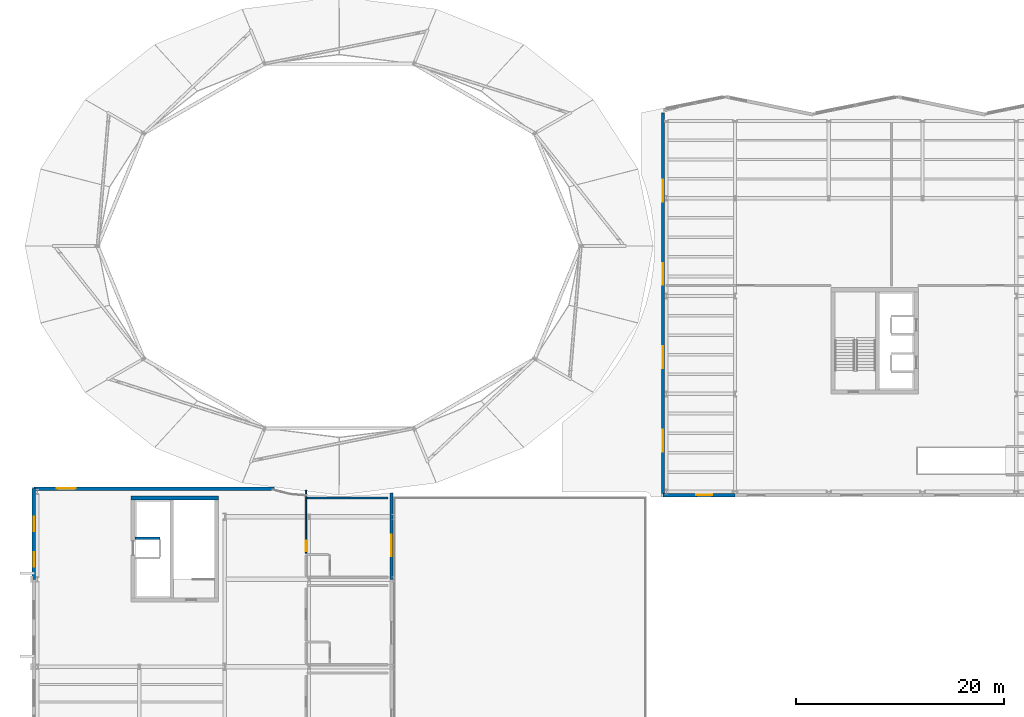
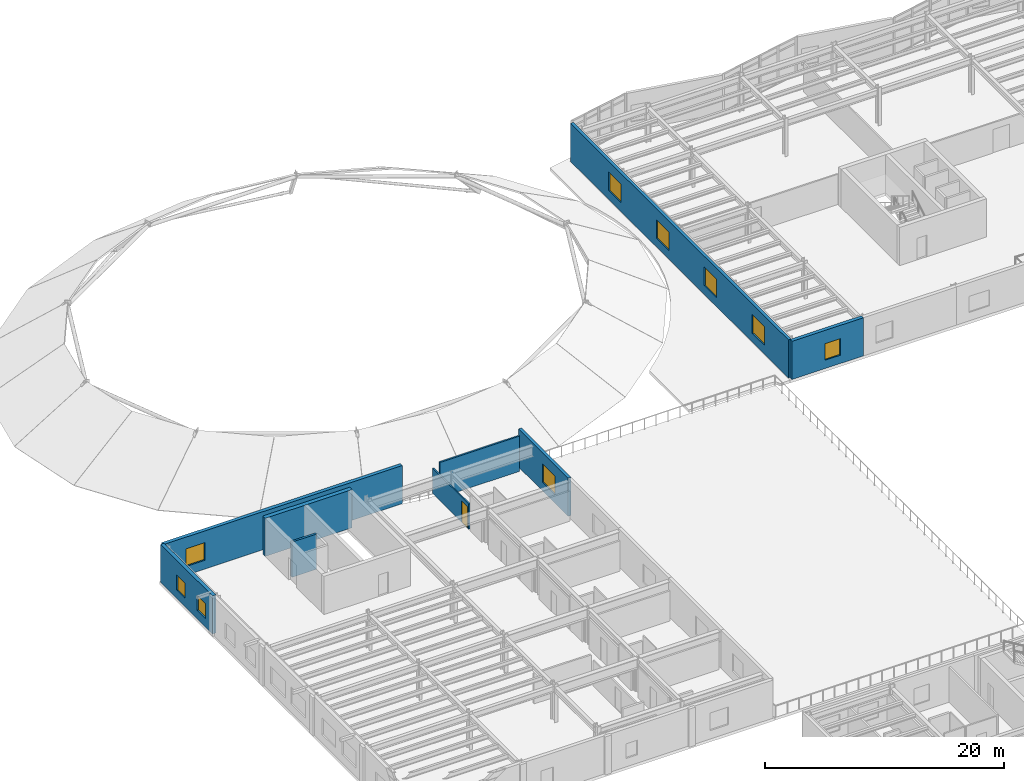
# One storey, part 44 of 59: 9 walls, 9 windows, 1 door, 10 openings.
"""IFC4 building model written with IfcOpenShell, lengths in metres."""

from ifc_helpers import new_model, si_unit, direction, frame, frame_2d, origin, place, context, subcontext, project, spatial, rectangle, extrude, material, layer, layer_set, type_object, element, fill, save


model = new_model("IFC4")

# Units and contexts
model_context = context("Model", 3, precision=1e-05, world=origin(), true_north=direction((0.0, 1.0)))
body_context = subcontext(model_context, "Body", "Model", "MODEL_VIEW")
ifc_project = project(units=[si_unit("LENGTHUNIT", "METRE"), si_unit("AREAUNIT", "SQUARE_METRE"), si_unit("VOLUMEUNIT", "CUBIC_METRE"), si_unit("PLANEANGLEUNIT", "RADIAN"), si_unit("MASSUNIT", "GRAM", prefix="KILO")], contexts=[model_context])

# Site, building, storey
site_placement = place(None, origin())
site = spatial("IfcSite", under=ifc_project, at=site_placement, CompositionType="ELEMENT")
building_placement = place(site_placement, origin())
building = spatial("IfcBuilding", under=site, at=building_placement, Name="Sollismere Congress Hotel", CompositionType="ELEMENT")
storey_placement = place(building_placement, frame((0.0, 0.0, 15.60009765625)))
storey = spatial("IfcBuildingStorey", under=building, at=storey_placement, Name="L03", CompositionType="ELEMENT", Elevation=15.60009765625)

# Wall, openings, windows
ifc_material_1 = material(Name="Colorado Buff Sandstone Rainscreen on Insulated Backup", Category="masonry")
ifc_layer_1 = layer(ifc_material_1, 0.284912109375, Name="Colorado Buff Sandstone Rainscreen on Insulated Backup")
ifc_layer_set_1 = layer_set([ifc_layer_1], Name="Colorado Buff Sandstone Rainscreen on Insulated Backup")
wall_type_1 = type_object("IfcWallType", Name="WL-EXT285", PredefinedType="STANDARD", material=ifc_layer_set_1)
wall_1_placement = place(storey_placement, frame((60.090087890625, 66.662109375, 0.0), z_axis=(0.0, 0.0, 1.0), x_axis=(0.0, 1.0, 0.0)))
wall_1 = element("IfcWall", 1, at=wall_1_placement, inside=storey, type_object=wall_type_1, Name="Exterior wall EW-L03-071", PredefinedType="STANDARD", context=body_context, shape_type="SweptSolid", body=[
    extrude(rectangle(XDim=36.48779296875, YDim=0.284912109375, at=frame_2d((18.243896484375, 0.0))), origin(), (0.0, 0.0, 1.0), 3.89990234375),
])
opening_1_placement = place(wall_1_placement, frame((4.0, 0.0, 0.89990234375)))
opening_1 = element("IfcOpeningElement", 2, at=opening_1_placement, cuts=wall_1, Name="Opening W-L03-068", PredefinedType="OPENING", context=body_context, shape_type="SweptSolid", body=[
    extrude(rectangle(XDim=2.10009765625, YDim=1.89990234375, at=frame_2d((1.050048828125, 0.949951171875))), frame((0.0, 0.15234375, 0.0), z_axis=(0.0, -1.0, 0.0), x_axis=(1.0, 0.0, 0.0)), (0.0, 0.0, 1.0), 0.304931640625),
])
opening_2_placement = place(wall_1_placement, frame((12.0, 0.0, 0.89990234375)))
opening_2 = element("IfcOpeningElement", 3, at=opening_2_placement, cuts=wall_1, Name="Opening W-L03-069", PredefinedType="OPENING", context=body_context, shape_type="SweptSolid", body=[
    extrude(rectangle(XDim=2.10009765625, YDim=1.89990234375, at=frame_2d((1.050048828125, 0.949951171875))), frame((0.0, 0.15234375, 0.0), z_axis=(0.0, -1.0, 0.0), x_axis=(1.0, 0.0, 0.0)), (0.0, 0.0, 1.0), 0.304931640625),
])
opening_3_placement = place(wall_1_placement, frame((20.0, 0.0, 0.89990234375)))
opening_3 = element("IfcOpeningElement", 4, at=opening_3_placement, cuts=wall_1, Name="Opening W-L03-070", PredefinedType="OPENING", context=body_context, shape_type="SweptSolid", body=[
    extrude(rectangle(XDim=2.10009765625, YDim=1.89990234375, at=frame_2d((1.050048828125, 0.949951171875))), frame((0.0, 0.15234375, 0.0), z_axis=(0.0, -1.0, 0.0), x_axis=(1.0, 0.0, 0.0)), (0.0, 0.0, 1.0), 0.304931640625),
])
opening_4_placement = place(wall_1_placement, frame((28.0, 0.0, 0.89990234375)))
opening_4 = element("IfcOpeningElement", 5, at=opening_4_placement, cuts=wall_1, Name="Opening W-L03-071", PredefinedType="OPENING", context=body_context, shape_type="SweptSolid", body=[
    extrude(rectangle(XDim=2.10009765625, YDim=1.89990234375, at=frame_2d((1.050048828125, 0.949951171875))), frame((0.0, 0.15234375, 0.0), z_axis=(0.0, -1.0, 0.0), x_axis=(1.0, 0.0, 0.0)), (0.0, 0.0, 1.0), 0.304931640625),
])
ifc_material_2 = material(Name="Thermally Broken Bronze Aluminum & Low-E Glass", Category="aluminium")
window_type_1 = type_object("IfcWindowType", Name="WN-P210x190", PartitioningType="SINGLE_PANEL", PredefinedType="WINDOW", material=ifc_material_2)
window_1_placement = place(opening_1_placement, origin())
window_1 = element("IfcWindow", 6, at=window_1_placement, inside=storey, type_object=window_type_1, Name="WIN-W-L03-068", OverallHeight=1.89990234375, OverallWidth=2.10009765625, PartitioningType="SINGLE_PANEL", PredefinedType="WINDOW", context=body_context, shape_type="SweptSolid", body=[
    extrude(rectangle(XDim=2.10009765625, YDim=1.89990234375, at=frame_2d((1.050048828125, 0.949951171875))), frame((0.0, 0.030029296875, 0.0), z_axis=(0.0, -1.0, 0.0), x_axis=(1.0, 0.0, 0.0)), (0.0, 0.0, 1.0), 0.06005859375),
])
fill(opening_1, window_1)
window_2_placement = place(opening_2_placement, origin())
window_2 = element("IfcWindow", 7, at=window_2_placement, inside=storey, type_object=window_type_1, Name="WIN-W-L03-069", OverallHeight=1.89990234375, OverallWidth=2.10009765625, PartitioningType="SINGLE_PANEL", PredefinedType="WINDOW", context=body_context, shape_type="SweptSolid", body=[
    extrude(rectangle(XDim=2.10009765625, YDim=1.89990234375, at=frame_2d((1.050048828125, 0.949951171875))), frame((0.0, 0.030029296875, 0.0), z_axis=(0.0, -1.0, 0.0), x_axis=(1.0, 0.0, 0.0)), (0.0, 0.0, 1.0), 0.06005859375),
])
fill(opening_2, window_2)
window_3_placement = place(opening_3_placement, origin())
window_3 = element("IfcWindow", 8, at=window_3_placement, inside=storey, type_object=window_type_1, Name="WIN-W-L03-070", OverallHeight=1.89990234375, OverallWidth=2.10009765625, PartitioningType="SINGLE_PANEL", PredefinedType="WINDOW", context=body_context, shape_type="SweptSolid", body=[
    extrude(rectangle(XDim=2.10009765625, YDim=1.89990234375, at=frame_2d((1.050048828125, 0.949951171875))), frame((0.0, 0.030029296875, 0.0), z_axis=(0.0, -1.0, 0.0), x_axis=(1.0, 0.0, 0.0)), (0.0, 0.0, 1.0), 0.06005859375),
])
fill(opening_3, window_3)
window_4_placement = place(opening_4_placement, origin())
window_4 = element("IfcWindow", 9, at=window_4_placement, inside=storey, type_object=window_type_1, Name="WIN-W-L03-071", OverallHeight=1.89990234375, OverallWidth=2.10009765625, PartitioningType="SINGLE_PANEL", PredefinedType="WINDOW", context=body_context, shape_type="SweptSolid", body=[
    extrude(rectangle(XDim=2.10009765625, YDim=1.89990234375, at=frame_2d((1.050048828125, 0.949951171875))), frame((0.0, 0.030029296875, 0.0), z_axis=(0.0, -1.0, 0.0), x_axis=(1.0, 0.0, 0.0)), (0.0, 0.0, 1.0), 0.06005859375),
])
fill(opening_4, window_4)

# Wall, opening, window
wall_2_placement = place(storey_placement, frame((34.030029296875, 58.39990234375, 0.0), z_axis=(0.0, 0.0, 1.0), x_axis=(0.0, 1.0, 0.0)))
wall_2 = element("IfcWall", 10, at=wall_2_placement, inside=storey, type_object=wall_type_1, Name="Exterior wall EW-L03-199", PredefinedType="STANDARD", context=body_context, shape_type="SweptSolid", body=[
    extrude(rectangle(XDim=8.300048828125, YDim=0.284912109375, at=frame_2d((4.14990234375, 0.0))), origin(), (0.0, 0.0, 1.0), 3.89990234375),
])
opening_5_placement = place(wall_2_placement, frame((2.199951171875, 0.0, 0.8798828125)))
opening_5 = element("IfcOpeningElement", 11, at=opening_5_placement, cuts=wall_2, Name="Opening W-L03-165", PredefinedType="OPENING", context=body_context, shape_type="SweptSolid", body=[
    extrude(rectangle(XDim=2.10009765625, YDim=1.89990234375, at=frame_2d((1.050048828125, 0.949951171875))), frame((0.0, 0.15234375, 0.0), z_axis=(0.0, -1.0, 0.0), x_axis=(1.0, 0.0, 0.0)), (0.0, 0.0, 1.0), 0.304931640625),
])
window_5_placement = place(opening_5_placement, origin())
window_5 = element("IfcWindow", 12, at=window_5_placement, inside=storey, type_object=window_type_1, Name="WIN-W-L03-165", OverallHeight=1.89990234375, OverallWidth=2.10009765625, PartitioningType="SINGLE_PANEL", PredefinedType="WINDOW", context=body_context, shape_type="SweptSolid", body=[
    extrude(rectangle(XDim=2.10009765625, YDim=1.89990234375, at=frame_2d((1.050048828125, 0.949951171875))), frame((0.0, 0.030029296875, 0.0), z_axis=(0.0, -1.0, 0.0), x_axis=(1.0, 0.0, 0.0)), (0.0, 0.0, 1.0), 0.06005859375),
])
fill(opening_5, window_5)

ifc_material_3 = material(Name="Colorado Buff Sandstone and Limestone Backup C40/50", Category="masonry")
ifc_layer_2 = layer(ifc_material_3, 0.340087890625, Name="Colorado Buff Sandstone and Limestone Backup C40/50")
ifc_layer_set_2 = layer_set([ifc_layer_2], Name="Colorado Buff Sandstone and Limestone Backup C40/50")
wall_type_2 = type_object("IfcWallType", Name="WL-EXT340", PredefinedType="STANDARD", material=ifc_layer_set_2)
wall_3_placement = place(storey_placement, frame((60.090087890625, 66.489990234375, 0.0), z_axis=(0.0, 0.0, 1.0), x_axis=(1.0, 0.0, 0.0)))
wall_3 = element("IfcWall", 13, at=wall_3_placement, inside=storey, type_object=wall_type_2, Name="Exterior wall EW-L03-064", PredefinedType="STANDARD", context=body_context, shape_type="SweptSolid", body=[
    extrude(rectangle(XDim=6.909912109375, YDim=0.340087890625, at=frame_2d((3.455078125, 0.0))), origin(), (0.0, 0.0, 1.0), 3.89990234375),
])
opening_6_placement = place(wall_3_placement, frame((3.199951171875, 0.0, 0.85009765625)))
opening_6 = element("IfcOpeningElement", 14, at=opening_6_placement, cuts=wall_3, Name="Opening W-L03-061", PredefinedType="OPENING", context=body_context, shape_type="SweptSolid", body=[
    extrude(rectangle(XDim=1.5, YDim=1.699951171875, at=frame_2d((0.75, 0.85009765625))), frame((0.0, 0.179931640625, 0.0), z_axis=(0.0, -1.0, 0.0), x_axis=(1.0, 0.0, 0.0)), (0.0, 0.0, 1.0), 0.360107421875),
])
window_type_2 = type_object("IfcWindowType", Name="WN-P150x170", PartitioningType="SINGLE_PANEL", PredefinedType="WINDOW", material=ifc_material_2)
window_6_placement = place(opening_6_placement, origin())
window_6 = element("IfcWindow", 15, at=window_6_placement, inside=storey, type_object=window_type_2, Name="WIN-W-L03-061", OverallHeight=1.699951171875, OverallWidth=1.5, PartitioningType="SINGLE_PANEL", PredefinedType="WINDOW", context=body_context, shape_type="SweptSolid", body=[
    extrude(rectangle(XDim=1.5, YDim=1.699951171875, at=frame_2d((0.75, 0.85009765625))), frame((0.0, 0.030029296875, 0.0), z_axis=(0.0, -1.0, 0.0), x_axis=(1.0, 0.0, 0.0)), (0.0, 0.0, 1.0), 0.06005859375),
])
fill(opening_6, window_6)

# Wall, openings, windows
wall_4_placement = place(storey_placement, frame((-0.31005859375, 58.39990234375, 0.0), z_axis=(0.0, 0.0, 1.0), x_axis=(0.0, 1.0, 0.0)))
wall_4 = element("IfcWall", 16, at=wall_4_placement, inside=storey, type_object=wall_type_2, Name="Exterior wall EW-L03-184", PredefinedType="STANDARD", context=body_context, shape_type="SweptSolid", body=[
    extrude(rectangle(XDim=8.7001953125, YDim=0.340087890625, at=frame_2d((4.35009765625, 0.0))), origin(), (0.0, 0.0, 1.0), 3.89990234375),
])
opening_7_placement = place(wall_4_placement, frame((1.199951171875, 0.0, 0.85009765625)))
opening_7 = element("IfcOpeningElement", 17, at=opening_7_placement, cuts=wall_4, Name="Opening W-L03-154", PredefinedType="OPENING", context=body_context, shape_type="SweptSolid", body=[
    extrude(rectangle(XDim=1.39990234375, YDim=1.550048828125, at=frame_2d((0.699951171875, 0.77490234375))), frame((0.0, 0.179931640625, 0.0), z_axis=(0.0, -1.0, 0.0), x_axis=(1.0, 0.0, 0.0)), (0.0, 0.0, 1.0), 0.360107421875),
])
opening_8_placement = place(wall_4_placement, frame((4.60009765625, 0.0, 0.85009765625)))
opening_8 = element("IfcOpeningElement", 18, at=opening_8_placement, cuts=wall_4, Name="Opening W-L03-155", PredefinedType="OPENING", context=body_context, shape_type="SweptSolid", body=[
    extrude(rectangle(XDim=1.39990234375, YDim=1.550048828125, at=frame_2d((0.699951171875, 0.77490234375))), frame((0.0, 0.179931640625, 0.0), z_axis=(0.0, -1.0, 0.0), x_axis=(1.0, 0.0, 0.0)), (0.0, 0.0, 1.0), 0.360107421875),
])
window_type_3 = type_object("IfcWindowType", Name="WN-P140x155", PartitioningType="SINGLE_PANEL", PredefinedType="WINDOW", material=ifc_material_2)
window_7_placement = place(opening_7_placement, origin())
window_7 = element("IfcWindow", 19, at=window_7_placement, inside=storey, type_object=window_type_3, Name="WIN-W-L03-154", OverallHeight=1.550048828125, OverallWidth=1.39990234375, PartitioningType="SINGLE_PANEL", PredefinedType="WINDOW", context=body_context, shape_type="SweptSolid", body=[
    extrude(rectangle(XDim=1.39990234375, YDim=1.550048828125, at=frame_2d((0.699951171875, 0.77490234375))), frame((0.0, 0.030029296875, 0.0), z_axis=(0.0, -1.0, 0.0), x_axis=(1.0, 0.0, 0.0)), (0.0, 0.0, 1.0), 0.06005859375),
])
fill(opening_7, window_7)
window_8_placement = place(opening_8_placement, origin())
window_8 = element("IfcWindow", 20, at=window_8_placement, inside=storey, type_object=window_type_3, Name="WIN-W-L03-155", OverallHeight=1.550048828125, OverallWidth=1.39990234375, PartitioningType="SINGLE_PANEL", PredefinedType="WINDOW", context=body_context, shape_type="SweptSolid", body=[
    extrude(rectangle(XDim=1.39990234375, YDim=1.550048828125, at=frame_2d((0.699951171875, 0.77490234375))), frame((0.0, 0.030029296875, 0.0), z_axis=(0.0, -1.0, 0.0), x_axis=(1.0, 0.0, 0.0)), (0.0, 0.0, 1.0), 0.06005859375),
])
fill(opening_8, window_8)

# Wall, opening, window
wall_5_placement = place(storey_placement, frame((-0.300048828125, 67.110107421875, 0.0), z_axis=(0.0, 0.0, 1.0), x_axis=(1.0, 0.0, 0.0)))
wall_5 = element("IfcWall", 21, at=wall_5_placement, inside=storey, type_object=wall_type_2, Name="Exterior wall EW-L03-194", PredefinedType="STANDARD", context=body_context, shape_type="SweptSolid", body=[
    extrude(rectangle(XDim=23.10009765625, YDim=0.340087890625, at=frame_2d((11.550048828125, 0.0))), origin(), (0.0, 0.0, 1.0), 3.89990234375),
])
opening_9_placement = place(wall_5_placement, frame((2.199951171875, 0.0, 0.89990234375)))
opening_9 = element("IfcOpeningElement", 22, at=opening_9_placement, cuts=wall_5, Name="Opening W-L03-160", PredefinedType="OPENING", context=body_context, shape_type="SweptSolid", body=[
    extrude(rectangle(XDim=1.800048828125, YDim=1.800048828125, at=frame_2d((0.89990234375, 0.89990234375))), frame((0.0, 0.179931640625, 0.0), z_axis=(0.0, -1.0, 0.0), x_axis=(1.0, 0.0, 0.0)), (0.0, 0.0, 1.0), 0.360107421875),
])
window_type_4 = type_object("IfcWindowType", Name="WN-P180x180", PartitioningType="SINGLE_PANEL", PredefinedType="WINDOW", material=ifc_material_2)
window_9_placement = place(opening_9_placement, origin())
window_9 = element("IfcWindow", 23, at=window_9_placement, inside=storey, type_object=window_type_4, Name="WIN-W-L03-160", OverallHeight=1.800048828125, OverallWidth=1.800048828125, PartitioningType="SINGLE_PANEL", PredefinedType="WINDOW", context=body_context, shape_type="SweptSolid", body=[
    extrude(rectangle(XDim=1.800048828125, YDim=1.800048828125, at=frame_2d((0.89990234375, 0.89990234375))), frame((0.0, 0.030029296875, 0.0), z_axis=(0.0, -1.0, 0.0), x_axis=(1.0, 0.0, 0.0)), (0.0, 0.0, 1.0), 0.06005859375),
])
fill(opening_9, window_9)

# Wall
ifc_material_4 = material(Name="Moisture-Resistant Shaft Gypsum Assembly")
ifc_layer_3 = layer(ifc_material_4, 0.199951171875, Name="Moisture-Resistant Shaft Gypsum Assembly")
ifc_layer_set_3 = layer_set([ifc_layer_3], Name="Moisture-Resistant Shaft Gypsum Assembly")
wall_type_3 = type_object("IfcWallType", Name="WL-PLM200", PredefinedType="PLUMBINGWALL", material=ifc_layer_set_3)
wall_6_placement = place(storey_placement, frame((9.412109375, 62.344970703125, 0.0), z_axis=(0.0, 0.0, 1.0), x_axis=(1.0, 0.0, 0.0)))
element("IfcWall", 24, at=wall_6_placement, inside=storey, type_object=wall_type_3, Name="Interior wall IW-L03-0669", PredefinedType="PLUMBINGWALL", context=body_context, shape_type="SweptSolid", body=[
    extrude(rectangle(XDim=2.387939453125, YDim=0.199951171875, at=frame_2d((1.19384765625, 0.0))), origin(), (0.0, 0.0, 1.0), 3.599853515625),
])

# Wall, opening, door
ifc_material_5 = material(Name="Fire-Rated Gypsum Partition")
ifc_layer_4 = layer(ifc_material_5, 0.139892578125, Name="Fire-Rated Gypsum Partition")
ifc_layer_set_4 = layer_set([ifc_layer_4], Name="Fire-Rated Gypsum Partition")
wall_type_4 = type_object("IfcWallType", Name="WL-PRT140R", PredefinedType="PARTITIONING", material=ifc_layer_set_4)
wall_7_placement = place(storey_placement, frame((25.800048828125, 60.919921875, 0.0), z_axis=(0.0, 0.0, 1.0), x_axis=(0.0, 1.0, 0.0)))
wall_7 = element("IfcWall", 25, at=wall_7_placement, inside=storey, type_object=wall_type_4, Name="Interior wall IW-L03-1460", PredefinedType="PARTITIONING", context=body_context, shape_type="SweptSolid", body=[
    extrude(rectangle(XDim=6.0400390625, YDim=0.139892578125, at=frame_2d((3.02001953125, 0.0))), origin(), (0.0, 0.0, 1.0), 2.583984375),
])
opening_10_placement = place(wall_7_placement, frame((0.179931640625, 0.0, 0.0)))
opening_10 = element("IfcOpeningElement", 26, at=opening_10_placement, cuts=wall_7, Name="Opening D-L03-0515", PredefinedType="OPENING", context=body_context, shape_type="SweptSolid", body=[
    extrude(rectangle(XDim=0.97998046875, YDim=2.199951171875, at=frame_2d((0.489990234375, 1.10009765625))), frame((0.0, 0.079833984375, 0.0), z_axis=(0.0, -1.0, 0.0), x_axis=(1.0, 0.0, 0.0)), (0.0, 0.0, 1.0), 0.159912109375),
])
ifc_material_6 = material(Name="Solid-Core Acoustic Walnut Guestroom Entry Door")
door_type = type_object("IfcDoorType", Name="DR-KY03", OperationType="NOTDEFINED", PredefinedType="DOOR", material=ifc_material_6)
door_placement = place(opening_10_placement, origin())
door = element("IfcDoor", 27, at=door_placement, inside=storey, type_object=door_type, Name="Hotel room entry door D-L03-0515", OperationType="SINGLE_SWING_RIGHT", OverallHeight=2.199951171875, OverallWidth=0.97998046875, PredefinedType="DOOR", context=body_context, shape_type="SweptSolid", body=[
    extrude(rectangle(XDim=0.97998046875, YDim=2.199951171875, at=frame_2d((0.489990234375, 1.10009765625))), frame((0.0, 0.02490234375, 0.0), z_axis=(0.0, -1.0, 0.0), x_axis=(1.0, 0.0, 0.0)), (0.0, 0.0, 1.0), 0.050048828125),
])
fill(opening_10, door)

# Walls
ifc_material_7 = material(Name="Fire-Rated Acoustic Gypsum Partition")
ifc_layer_5 = layer(ifc_material_7, 0.1650390625, Name="Fire-Rated Acoustic Gypsum Partition")
ifc_layer_set_5 = layer_set([ifc_layer_5], Name="Fire-Rated Acoustic Gypsum Partition")
wall_type_5 = type_object("IfcWallType", Name="WL-PRT165R", PredefinedType="PARTITIONING", material=ifc_layer_set_5)
wall_8_placement = place(storey_placement, frame((25.93994140625, 66.199951171875, 0.0), z_axis=(0.0, 0.0, 1.0), x_axis=(1.0, 0.0, 0.0)))
element("IfcWall", 28, at=wall_8_placement, inside=storey, type_object=wall_type_5, Name="Interior wall IW-L03-1462", PredefinedType="PARTITIONING", context=body_context, shape_type="SweptSolid", body=[
    extrude(rectangle(XDim=7.719970703125, YDim=0.1650390625, at=frame_2d((3.85986328125, 0.0))), origin(), (0.0, 0.0, 1.0), 3.599853515625),
])
ifc_material_8 = material(Name="Concrete C50/60", Category="concrete")
ifc_layer_6 = layer(ifc_material_8, 0.39990234375, Name="Concrete C50/60")
ifc_layer_set_6 = layer_set([ifc_layer_6], Name="Concrete C50/60")
wall_type_6 = type_object("IfcWallType", Name="WL-SHR400", PredefinedType="SHEAR", material=ifc_layer_set_6)
wall_9_placement = place(storey_placement, frame((17.39990234375, 66.199951171875, 0.0), z_axis=(0.0, 0.0, 1.0), x_axis=(-1.0, 0.0, 0.0)))
element("IfcWall", 29, at=wall_9_placement, inside=storey, type_object=wall_type_6, Name="Interior wall IW-L03-0664", PredefinedType="SHEAR", context=body_context, shape_type="SweptSolid", body=[
    extrude(rectangle(XDim=8.39990234375, YDim=0.39990234375, at=frame_2d((4.199951171875, 0.0))), origin(), (0.0, 0.0, 1.0), 3.89990234375),
])

save(model, "model.ifc")
